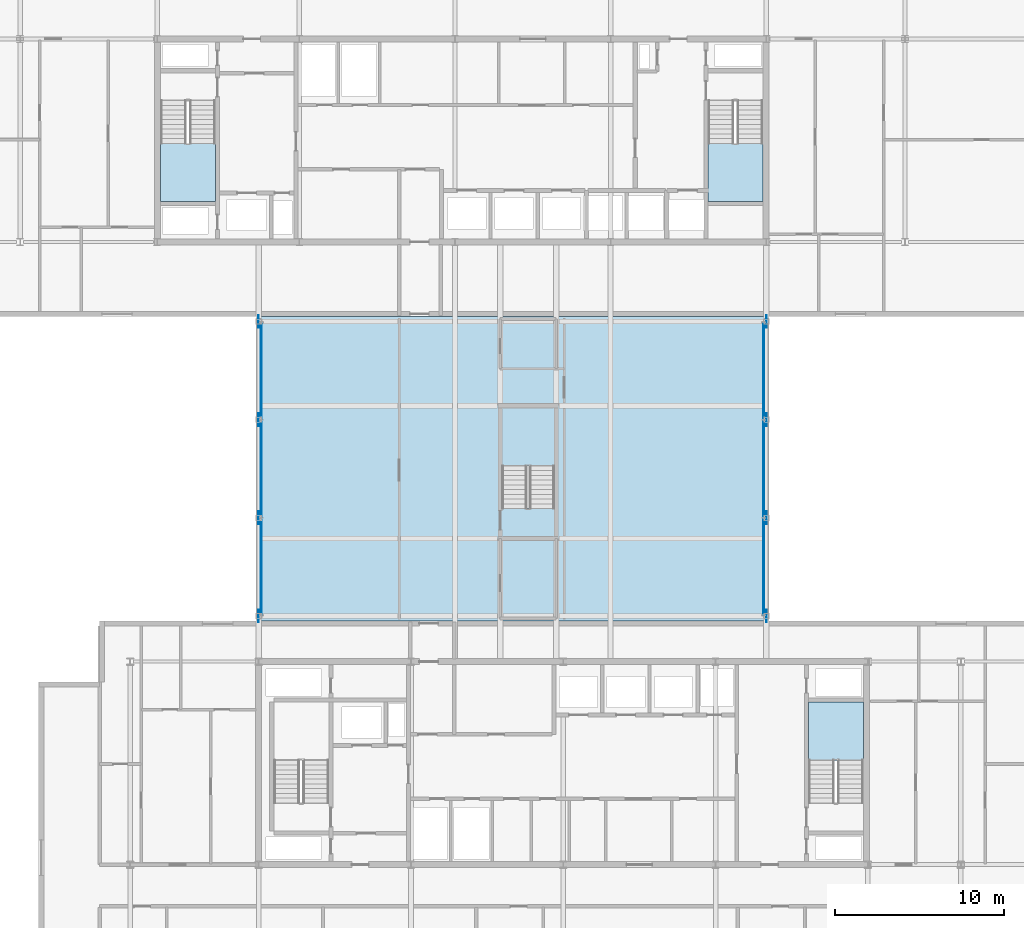
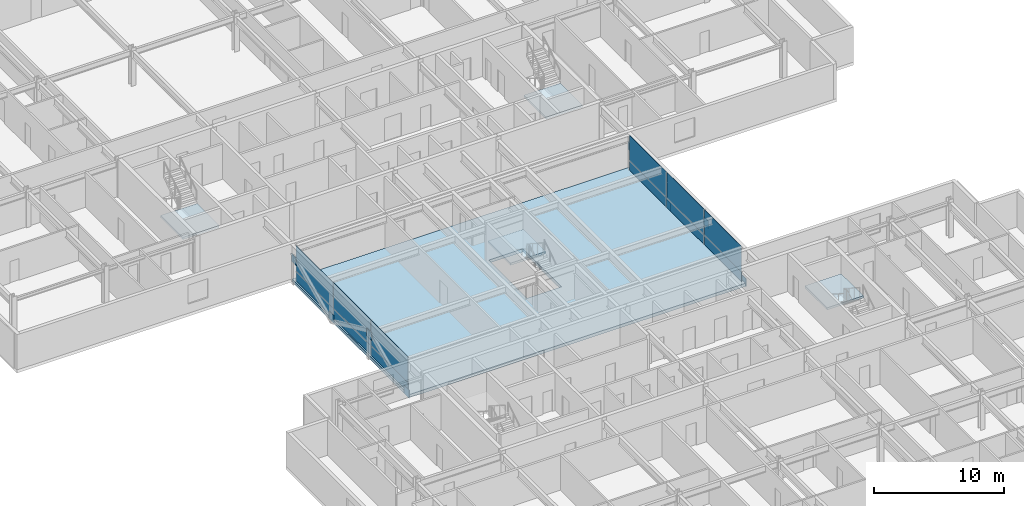
# One storey, part 15 of 36: 20 plates, 5 slabs, 6 elements without a shape of their own.
"""IFC4 building model written with IfcOpenShell, lengths in metres."""

from ifc_helpers import new_model, si_unit, direction, frame, origin, origin_2d, place, context, subcontext, project, spatial, polyline, rectangle, outline, extrude, material, layer, layer_set, type_object, element, aggregate, save


model = new_model("IFC4")

# Units and contexts
model_context = context("Model", 3, precision=1e-05, world=origin(), true_north=direction((0.0, 1.0)))
body_context = subcontext(model_context, "Body", "Model", "MODEL_VIEW")
ifc_project = project(units=[si_unit("LENGTHUNIT", "METRE"), si_unit("AREAUNIT", "SQUARE_METRE"), si_unit("VOLUMEUNIT", "CUBIC_METRE"), si_unit("PLANEANGLEUNIT", "RADIAN"), si_unit("MASSUNIT", "GRAM", prefix="KILO")], contexts=[model_context])

# Site, building, storey
site_placement = place(None, origin())
site = spatial("IfcSite", under=ifc_project, at=site_placement, CompositionType="ELEMENT")
building_placement = place(site_placement, origin())
building = spatial("IfcBuilding", under=site, at=building_placement, Name="Korimba Cascade Residences", CompositionType="ELEMENT")
storey_placement = place(building_placement, frame((0.0, 0.0, 146.5)))
storey = spatial("IfcBuildingStorey", under=building, at=storey_placement, Name="L42", CompositionType="ELEMENT", Elevation=146.5)

# Curtain wall, plates
ifc_material_1 = material(Name="Anodised Aluminium Curtain Wall Framing", Category="aluminium")
ifc_layer_1 = layer(ifc_material_1, 0.179931640625)
ifc_layer_set_1 = layer_set([ifc_layer_1], Name="Anodised Aluminium Curtain Wall Framing")
curtain_wall_type = type_object("IfcCurtainWallType", Name="CW-BRG-SYS3", PredefinedType="NOTDEFINED", material=ifc_layer_set_1)
curtain_wall_1_placement = place(storey_placement, origin())
curtain_wall_1 = element("IfcCurtainWall", 1, at=curtain_wall_1_placement, inside=storey, type_object=curtain_wall_type, Name="L42 Curtain Wall CW-L42-BRG-W", PredefinedType="NOTDEFINED")
ifc_material_2 = material(Name="Insulated Stone-Tone Spandrel Panel", Category="masonry")
ifc_layer_2 = layer(ifc_material_2, 0.0400390625)
ifc_layer_set_2 = layer_set([ifc_layer_2], Name="Insulated Stone-Tone Spandrel Panel")
plate_type_1 = type_object("IfcPlateType", Name="CWP-SPN-40", PredefinedType="USERDEFINED", material=ifc_layer_set_2)
plate_1_placement = place(storey_placement, frame((82.25, 36.02001953125, 0.0), z_axis=(0.0, 0.0, 1.0), x_axis=(0.0, 1.0, 0.0)))
plate_1 = element("IfcPlate", 2, at=plate_1_placement, type_object=plate_type_1, Name="CW-L42-BRG-W Spandrel Panel 1", ObjectType="SPANDREL", PredefinedType="USERDEFINED", context=body_context, shape_type="SweptSolid", body=[
    extrude(rectangle(XDim=5.7099609375, YDim=0.0400390625, at=origin_2d()), origin(), (0.0, 0.0, 1.0), 0.89990234375),
])
plate_2_placement = place(storey_placement, frame((82.25, 41.800048828125, 0.0), z_axis=(0.0, 0.0, 1.0), x_axis=(0.0, 1.0, 0.0)))
plate_2 = element("IfcPlate", 3, at=plate_2_placement, type_object=plate_type_1, Name="CW-L42-BRG-W Spandrel Panel 2", ObjectType="SPANDREL", PredefinedType="USERDEFINED", context=body_context, shape_type="SweptSolid", body=[
    extrude(rectangle(XDim=5.75, YDim=0.0400390625, at=origin_2d()), origin(), (0.0, 0.0, 1.0), 0.89990234375),
])
plate_3_placement = place(storey_placement, frame((82.25, 47.580078125, 0.0), z_axis=(0.0, 0.0, 1.0), x_axis=(0.0, 1.0, 0.0)))
plate_3 = element("IfcPlate", 4, at=plate_3_placement, type_object=plate_type_1, Name="CW-L42-BRG-W Spandrel Panel 3", ObjectType="SPANDREL", PredefinedType="USERDEFINED", context=body_context, shape_type="SweptSolid", body=[
    extrude(rectangle(XDim=5.7099609375, YDim=0.0400390625, at=origin_2d()), origin(), (0.0, 0.0, 1.0), 0.89990234375),
])

curtain_wall_2_placement = place(storey_placement, origin())
curtain_wall_2 = element("IfcCurtainWall", 5, at=curtain_wall_2_placement, inside=storey, type_object=curtain_wall_type, Name="L42 Curtain Wall CW-L42-BRG-E", PredefinedType="NOTDEFINED")
plate_4_placement = place(storey_placement, frame((111.949951171875, 36.02001953125, 0.0), z_axis=(0.0, 0.0, 1.0), x_axis=(0.0, 1.0, 0.0)))
plate_4 = element("IfcPlate", 6, at=plate_4_placement, type_object=plate_type_1, Name="CW-L42-BRG-E Spandrel Panel 1", ObjectType="SPANDREL", PredefinedType="USERDEFINED", context=body_context, shape_type="SweptSolid", body=[
    extrude(rectangle(XDim=5.7099609375, YDim=0.0400390625, at=origin_2d()), origin(), (0.0, 0.0, 1.0), 0.89990234375),
])
plate_5_placement = place(storey_placement, frame((111.949951171875, 41.800048828125, 0.0), z_axis=(0.0, 0.0, 1.0), x_axis=(0.0, 1.0, 0.0)))
plate_5 = element("IfcPlate", 7, at=plate_5_placement, type_object=plate_type_1, Name="CW-L42-BRG-E Spandrel Panel 2", ObjectType="SPANDREL", PredefinedType="USERDEFINED", context=body_context, shape_type="SweptSolid", body=[
    extrude(rectangle(XDim=5.75, YDim=0.0400390625, at=origin_2d()), origin(), (0.0, 0.0, 1.0), 0.89990234375),
])
plate_6_placement = place(storey_placement, frame((111.949951171875, 47.580078125, 0.0), z_axis=(0.0, 0.0, 1.0), x_axis=(0.0, 1.0, 0.0)))
plate_6 = element("IfcPlate", 8, at=plate_6_placement, type_object=plate_type_1, Name="CW-L42-BRG-E Spandrel Panel 3", ObjectType="SPANDREL", PredefinedType="USERDEFINED", context=body_context, shape_type="SweptSolid", body=[
    extrude(rectangle(XDim=5.7099609375, YDim=0.0400390625, at=origin_2d()), origin(), (0.0, 0.0, 1.0), 0.89990234375),
])

# Plate
ifc_material_3 = material(Name="Low-E Double Glazing Unit", Category="glass")
ifc_layer_3 = layer(ifc_material_3, 0.028076171875)
ifc_layer_set_3 = layer_set([ifc_layer_3], Name="Low-E Double Glazing Unit")
plate_type_2 = type_object("IfcPlateType", Name="CWP-VIS-28", PredefinedType="CURTAIN_PANEL", material=ifc_layer_set_3)
plate_7_placement = place(storey_placement, frame((82.25, 36.02001953125, 0.89990234375), z_axis=(0.0, 0.0, 1.0), x_axis=(0.0, 1.0, 0.0)))
plate_7 = element("IfcPlate", 9, at=plate_7_placement, type_object=plate_type_2, Name="CW-L42-BRG-W Vision Glass Panel 1", PredefinedType="CURTAIN_PANEL", context=body_context, shape_type="SweptSolid", body=[
    extrude(rectangle(XDim=5.7099609375, YDim=0.028076171875, at=origin_2d()), origin(), (0.0, 0.0, 1.0), 2.409912109375),
])

plate_8_placement = place(storey_placement, frame((82.25, 41.800048828125, 0.89990234375), z_axis=(0.0, 0.0, 1.0), x_axis=(0.0, 1.0, 0.0)))
plate_8 = element("IfcPlate", 10, at=plate_8_placement, type_object=plate_type_2, Name="CW-L42-BRG-W Vision Glass Panel 2", PredefinedType="CURTAIN_PANEL", context=body_context, shape_type="SweptSolid", body=[
    extrude(rectangle(XDim=5.75, YDim=0.028076171875, at=origin_2d()), origin(), (0.0, 0.0, 1.0), 2.409912109375),
])

plate_9_placement = place(storey_placement, frame((82.25, 47.580078125, 0.89990234375), z_axis=(0.0, 0.0, 1.0), x_axis=(0.0, 1.0, 0.0)))
plate_9 = element("IfcPlate", 11, at=plate_9_placement, type_object=plate_type_2, Name="CW-L42-BRG-W Vision Glass Panel 3", PredefinedType="CURTAIN_PANEL", context=body_context, shape_type="SweptSolid", body=[
    extrude(rectangle(XDim=5.7099609375, YDim=0.028076171875, at=origin_2d()), origin(), (0.0, 0.0, 1.0), 2.409912109375),
])

aggregate(curtain_wall_1, [plate_1, plate_7, plate_2, plate_8, plate_3, plate_9])

plate_10_placement = place(storey_placement, frame((111.949951171875, 36.02001953125, 0.89990234375), z_axis=(0.0, 0.0, 1.0), x_axis=(0.0, 1.0, 0.0)))
plate_10 = element("IfcPlate", 12, at=plate_10_placement, type_object=plate_type_2, Name="CW-L42-BRG-E Vision Glass Panel 1", PredefinedType="CURTAIN_PANEL", context=body_context, shape_type="SweptSolid", body=[
    extrude(rectangle(XDim=5.7099609375, YDim=0.028076171875, at=origin_2d()), origin(), (0.0, 0.0, 1.0), 2.409912109375),
])

plate_11_placement = place(storey_placement, frame((111.949951171875, 41.800048828125, 0.89990234375), z_axis=(0.0, 0.0, 1.0), x_axis=(0.0, 1.0, 0.0)))
plate_11 = element("IfcPlate", 13, at=plate_11_placement, type_object=plate_type_2, Name="CW-L42-BRG-E Vision Glass Panel 2", PredefinedType="CURTAIN_PANEL", context=body_context, shape_type="SweptSolid", body=[
    extrude(rectangle(XDim=5.75, YDim=0.028076171875, at=origin_2d()), origin(), (0.0, 0.0, 1.0), 2.409912109375),
])

plate_12_placement = place(storey_placement, frame((111.949951171875, 47.580078125, 0.89990234375), z_axis=(0.0, 0.0, 1.0), x_axis=(0.0, 1.0, 0.0)))
plate_12 = element("IfcPlate", 14, at=plate_12_placement, type_object=plate_type_2, Name="CW-L42-BRG-E Vision Glass Panel 3", PredefinedType="CURTAIN_PANEL", context=body_context, shape_type="SweptSolid", body=[
    extrude(rectangle(XDim=5.7099609375, YDim=0.028076171875, at=origin_2d()), origin(), (0.0, 0.0, 1.0), 2.409912109375),
])

aggregate(curtain_wall_2, [plate_4, plate_10, plate_5, plate_11, plate_6, plate_12])

# Plates
ifc_material_4 = material(Name="Steel S460", Category="steel")
ifc_layer_4 = layer(ifc_material_4, 0.031982421875)
ifc_layer_set_4 = layer_set([ifc_layer_4], Name="Steel S460")
plate_type_3 = type_object("IfcPlateType", Name="PLT-GUSSET-32", PredefinedType="USERDEFINED", material=ifc_layer_set_4)
for number, where, z_axis, x_axis, name in (
    (15, (82.10009765625, 33.10009765625, -0.284912109375), (0.0, 0.0, 1.0), (1.0, 0.0, 0.0), "L42 Warren Truss Node Gusset Plate MBN1 W1"),
    (16, (82.10009765625, 38.89990234375, 1.62841796875), (0.0, 0.0, 1.0), (1.0, 0.0, 0.0), "L42 Warren Truss Node Gusset Plate MBN1 W2"),
    (17, (82.10009765625, 44.699951171875, -0.284912109375), (0.0, 0.0, 1.0), (1.0, 0.0, 0.0), "L42 Warren Truss Node Gusset Plate MBN1 W3"),
    (18, (82.10009765625, 50.5, 1.62841796875), (0.0, 0.0, 1.0), (1.0, 0.0, 0.0), "L42 Warren Truss Node Gusset Plate MBN1 W4"),
    (19, (112.10009765625, 33.10009765625, -0.284912109375), (0.0, 0.0, 1.0), (1.0, 0.0, 0.0), "L42 Warren Truss Node Gusset Plate MBN1 E1"),
    (20, (112.10009765625, 38.89990234375, 1.62841796875), (0.0, 0.0, 1.0), (1.0, 0.0, 0.0), "L42 Warren Truss Node Gusset Plate MBN1 E2"),
    (21, (112.10009765625, 44.699951171875, -0.284912109375), (0.0, 0.0, 1.0), (1.0, 0.0, 0.0), "L42 Warren Truss Node Gusset Plate MBN1 E3"),
    (22, (112.10009765625, 50.5, 1.62841796875), (0.0, 0.0, 1.0), (1.0, 0.0, 0.0), "L42 Warren Truss Node Gusset Plate MBN1 E4"),
):
    element("IfcPlate", number, at=place(storey_placement, frame(where, z_axis=z_axis, x_axis=x_axis)), inside=storey, type_object=plate_type_3, Name=name, ObjectType="GUSSET PLATE", PredefinedType="USERDEFINED", context=body_context, shape_type="SweptSolid", body=[
        extrude(rectangle(XDim=0.031982421875, YDim=0.75, at=origin_2d()), origin(), (0.0, 0.0, 1.0), 0.75),
    ])

# Slab
ifc_material_5 = material(Name="Concrete C65/80", Category="concrete")
ifc_layer_5 = layer(ifc_material_5, 0.2900390625)
ifc_layer_set_5 = layer_set([ifc_layer_5], Name="Concrete C65/80")
slab_type_1 = type_object("IfcSlabType", Name="SLB-BRG-310", PredefinedType="FLOOR", material=ifc_layer_set_5)
slab_1_placement = place(storey_placement, frame((0.0, 0.0, -0.2900390625)))
element("IfcSlab", 23, at=slab_1_placement, inside=storey, type_object=slab_type_1, Name="L42 Mid-Bridge Floor Slab", PredefinedType="FLOOR", context=body_context, shape_type="SweptSolid", body=[
    extrude(outline(polyline([(82.10009765625, 32.800048828125), (112.10009765625, 32.800048828125), (112.10009765625, 50.800048828125), (82.10009765625, 50.800048828125), (82.10009765625, 32.800048828125)]), holes=[polyline([(99.56005859375, 39.485107421875), (99.56005859375, 45.39990234375), (96.5, 45.39990234375), (96.5, 39.485107421875), (99.56005859375, 39.485107421875)])]), origin(), (0.0, 0.0, 1.0), 0.2900390625),
])

# Stair, slab
ifc_material_6 = material(Name="Concrete C50/60", Category="concrete")
stair_type_1 = type_object("IfcStairType", Name="STR-W1-20R-1800", PredefinedType="HALF_TURN_STAIR", material=ifc_material_6)
stair_1_placement = place(storey_placement, origin())
stair_1 = element("IfcStair", 24, at=stair_1_placement, inside=storey, type_object=stair_type_1, Name="L42 Tower 1 West Fire Stair ST-W1", PredefinedType="HALF_TURN_STAIR")
ifc_layer_6 = layer(ifc_material_6, 0.199951171875)
ifc_layer_set_6 = layer_set([ifc_layer_6], Name="Concrete C50/60")
slab_type_2 = type_object("IfcSlabType", Name="SLB-LND-220", PredefinedType="LANDING", material=ifc_layer_set_6)
slab_2_placement = place(storey_placement, frame((0.0, 0.0, 1.60009765625)))
slab_2 = element("IfcSlab", 25, at=slab_2_placement, type_object=slab_type_2, Name="ST-W1 landing 1", PredefinedType="LANDING", context=body_context, shape_type="SweptSolid", body=[
    extrude(outline(polyline([(76.300048828125, 61.030029296875), (76.300048828125, 57.60009765625), (79.5400390625, 57.60009765625), (79.5400390625, 61.030029296875), (76.300048828125, 61.030029296875)])), origin(), (0.0, 0.0, 1.0), 0.199951171875),
])
aggregate(stair_1, [slab_2])

stair_type_2 = type_object("IfcStairType", Name="STR-W2-20R-1800", PredefinedType="HALF_TURN_STAIR", material=ifc_material_6)
stair_2_placement = place(storey_placement, origin())
stair_2 = element("IfcStair", 26, at=stair_2_placement, inside=storey, type_object=stair_type_2, Name="L42 Tower 1 East Fire Stair ST-W2", PredefinedType="HALF_TURN_STAIR")
slab_3_placement = place(storey_placement, frame((0.0, 0.0, 1.60009765625)))
slab_3 = element("IfcSlab", 27, at=slab_3_placement, type_object=slab_type_2, Name="ST-W2 landing 1", PredefinedType="LANDING", context=body_context, shape_type="SweptSolid", body=[
    extrude(outline(polyline([(108.659912109375, 61.030029296875), (108.659912109375, 57.60009765625), (111.89990234375, 57.60009765625), (111.89990234375, 61.030029296875), (108.659912109375, 61.030029296875)])), origin(), (0.0, 0.0, 1.0), 0.199951171875),
])
aggregate(stair_2, [slab_3])

stair_type_3 = type_object("IfcStairType", Name="STR-E2-20R-1800", PredefinedType="HALF_TURN_STAIR", material=ifc_material_6)
stair_3_placement = place(storey_placement, origin())
stair_3 = element("IfcStair", 28, at=stair_3_placement, inside=storey, type_object=stair_type_3, Name="L42 Tower 2 East Fire Stair ST-E2", PredefinedType="HALF_TURN_STAIR")
slab_4_placement = place(storey_placement, frame((0.0, 0.0, 1.60009765625)))
slab_4 = element("IfcSlab", 29, at=slab_4_placement, type_object=slab_type_2, Name="ST-E2 landing 1", PredefinedType="LANDING", context=body_context, shape_type="SweptSolid", body=[
    extrude(outline(polyline([(117.840087890625, 24.570068359375), (117.840087890625, 28.0), (114.60009765625, 28.0), (114.60009765625, 24.570068359375), (117.840087890625, 24.570068359375)])), origin(), (0.0, 0.0, 1.0), 0.199951171875),
])
aggregate(stair_3, [slab_4])

stair_type_4 = type_object("IfcStairType", Name="STR-BR1-20R-1800", PredefinedType="HALF_TURN_STAIR", material=ifc_material_6)
stair_4_placement = place(storey_placement, origin())
stair_4 = element("IfcStair", 30, at=stair_4_placement, inside=storey, type_object=stair_type_4, Name="L42 Mid-Bridge Feature Stair ST-BR1", PredefinedType="HALF_TURN_STAIR")
slab_5_placement = place(storey_placement, frame((0.0, 0.0, 1.60009765625)))
slab_5 = element("IfcSlab", 31, at=slab_5_placement, type_object=slab_type_2, Name="ST-BR1 landing 1", PredefinedType="LANDING", context=body_context, shape_type="SweptSolid", body=[
    extrude(outline(polyline([(96.4619140625, 41.969970703125), (99.597900390625, 41.969970703125), (99.597900390625, 45.43798828125), (96.4619140625, 45.43798828125), (96.4619140625, 41.969970703125)])), origin(), (0.0, 0.0, 1.0), 0.199951171875),
])
aggregate(stair_4, [slab_5])

save(model, "model.ifc")
